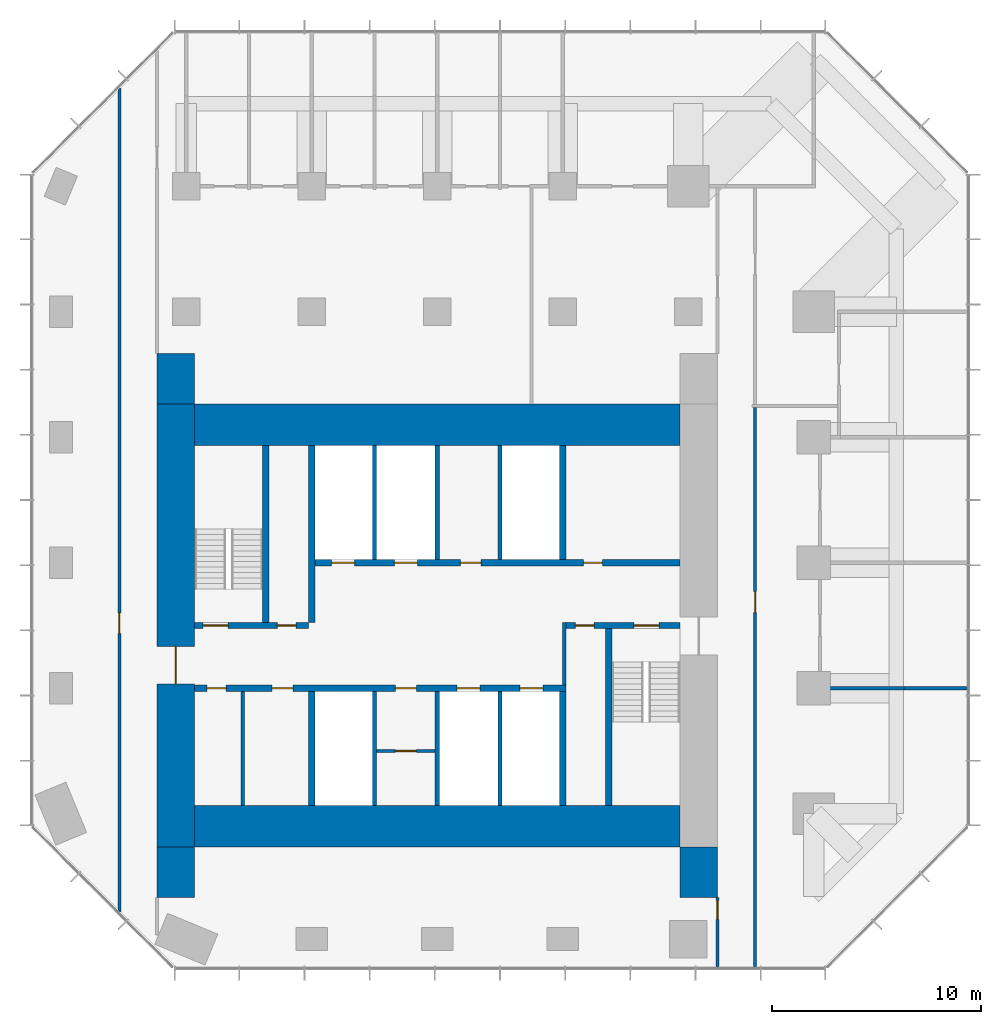
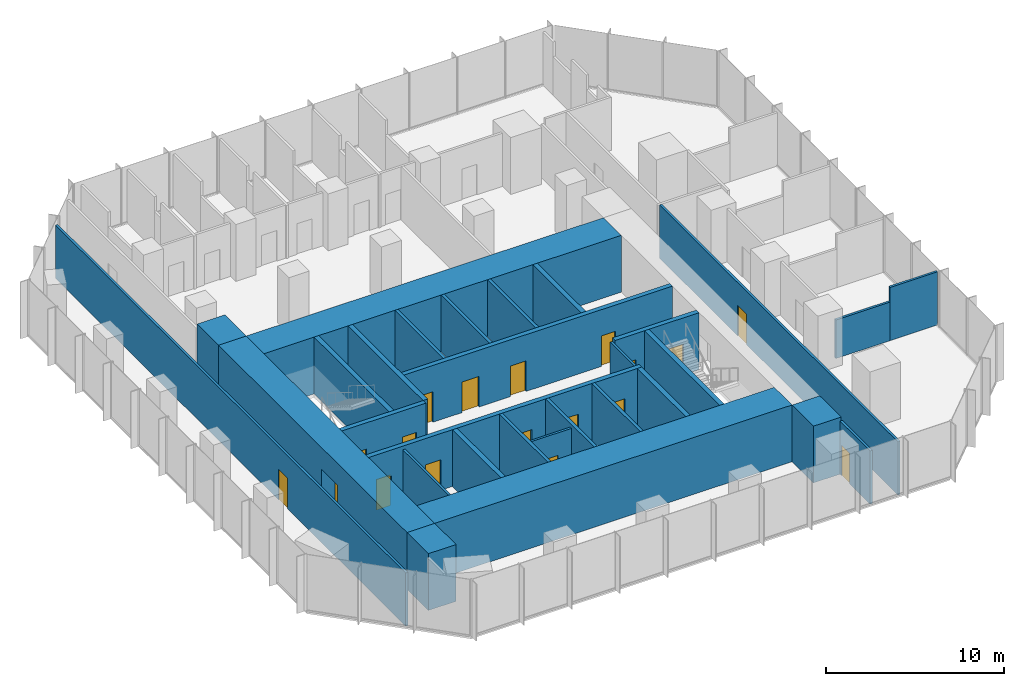
# One storey, part 8 of 11: 30 walls, 18 doors, 18 openings.
"""IFC4 building model written with IfcOpenShell, lengths in metres."""

from ifc_helpers import new_model, si_unit, direction, frame, frame_2d, origin, place, context, subcontext, project, spatial, rectangle, extrude, material, layer, layer_set, type_object, element, fill, save


model = new_model("IFC4")

# Units and contexts
model_context = context("Model", 3, precision=1e-05, world=origin(), true_north=direction((0.0, 1.0)))
body_context = subcontext(model_context, "Body", "Model", "MODEL_VIEW")
ifc_project = project(units=[si_unit("LENGTHUNIT", "METRE"), si_unit("AREAUNIT", "SQUARE_METRE"), si_unit("VOLUMEUNIT", "CUBIC_METRE"), si_unit("PLANEANGLEUNIT", "RADIAN"), si_unit("MASSUNIT", "GRAM", prefix="KILO")], contexts=[model_context])

# Site, building, storey
site_placement = place(None, origin())
site = spatial("IfcSite", under=ifc_project, at=site_placement, CompositionType="ELEMENT")
building_placement = place(site_placement, origin())
building = spatial("IfcBuilding", under=site, at=building_placement, Name="Highveld Stack Headquarters", CompositionType="ELEMENT")
storey_placement = place(building_placement, frame((0.0, 0.0, 173.300048828125)))
storey = spatial("IfcBuildingStorey", under=building, at=storey_placement, Name="L42", CompositionType="ELEMENT", Elevation=173.300048828125)

# Wall, opening, door
ifc_material_1 = material(Name="Concrete C60/75", Category="concrete")
ifc_layer_1 = layer(ifc_material_1, 1.800048828125)
ifc_layer_set_1 = layer_set([ifc_layer_1], Name="Concrete C60/75")
wall_type_1 = type_object("IfcWallType", Name="CORE WALL 1800 C60/75", PredefinedType="SHEAR", material=ifc_layer_set_1)
wall_1_placement = place(storey_placement, frame((-6.5, -7.60009765625, 0.0), z_axis=(0.0, 0.0, 1.0), x_axis=(0.0, 1.0, 0.0)))
wall_1 = element("IfcWall", 1, at=wall_1_placement, inside=storey, type_object=wall_type_1, Name="Core wall W L42", PredefinedType="SHEAR", context=body_context, shape_type="SweptSolid", body=[
    extrude(rectangle(XDim=21.2001953125, YDim=1.800048828125, at=frame_2d((10.60009765625, 0.0))), origin(), (0.0, 0.0, 1.0), 3.89990234375),
])
opening_1_placement = place(wall_1_placement, frame((7.800048828125, 0.0, 0.0)))
opening_1 = element("IfcOpeningElement", 2, at=opening_1_placement, cuts=wall_1, Name="Opening L42-01", PredefinedType="OPENING", context=body_context, shape_type="SweptSolid", body=[
    extrude(rectangle(XDim=1.800048828125, YDim=2.39990234375, at=frame_2d((0.89990234375, 1.199951171875))), frame((0.0, 0.909912109375, 0.0), z_axis=(0.0, -1.0, 0.0), x_axis=(1.0, 0.0, 0.0)), (0.0, 0.0, 1.0), 1.820068359375),
])
ifc_material_2 = material(Name="Steel fire door", Category="steel")
door_type_1 = type_object("IfcDoorType", Name="LOBBY FIRE DOOR D4 1800x2400", OperationType="DOUBLE_DOOR_SINGLE_SWING", PredefinedType="DOOR", material=ifc_material_2)
door_1_placement = place(opening_1_placement, origin())
door_1 = element("IfcDoor", 3, at=door_1_placement, inside=storey, type_object=door_type_1, Name="Core west door L42", OperationType="DOUBLE_DOOR_SINGLE_SWING", OverallHeight=2.39990234375, OverallWidth=1.800048828125, PredefinedType="DOOR", context=body_context, shape_type="SweptSolid", body=[
    extrude(rectangle(XDim=1.800048828125, YDim=2.39990234375, at=frame_2d((0.89990234375, 1.199951171875))), frame((0.0, 0.02490234375, 0.0), z_axis=(0.0, -1.0, 0.0), x_axis=(1.0, 0.0, 0.0)), (0.0, 0.0, 1.0), 0.050048828125),
])
fill(opening_1, door_1)

# Walls
ifc_material_3 = material(Name="Concrete C60/75", Category="concrete")
ifc_layer_2 = layer(ifc_material_3, 2.0)
ifc_layer_set_2 = layer_set([ifc_layer_2], Name="Concrete C60/75")
wall_type_2 = type_object("IfcWallType", Name="CORE WALL 2000 C60/75", PredefinedType="SHEAR", material=ifc_layer_set_2)
for number, where, z_axis, x_axis, name in (
    (4, (-5.60009765625, -6.60009765625, 0.0), (0.0, 0.0, 1.0), (1.0, 0.0, 0.0), "Core wall S L42"),
    (5, (-5.60009765625, 12.60009765625, 0.0), (0.0, 0.0, 1.0), (1.0, 0.0, 0.0), "Core wall N L42"),
):
    element("IfcWall", number, at=place(storey_placement, frame(where, z_axis=z_axis, x_axis=x_axis)), inside=storey, type_object=wall_type_2, Name=name, PredefinedType="SHEAR", context=body_context, shape_type="SweptSolid", body=[
        extrude(rectangle(XDim=23.2001953125, YDim=2.0, at=frame_2d((11.60009765625, 0.0))), origin(), (0.0, 0.0, 1.0), 3.89990234375),
    ])

# Wall, openings, doors
ifc_material_4 = material(Name="Concrete C60/75", Category="concrete")
ifc_layer_3 = layer(ifc_material_4, 0.300048828125)
ifc_layer_set_3 = layer_set([ifc_layer_3], Name="Concrete C60/75")
wall_type_3 = type_object("IfcWallType", Name="CORE WALL 300 C60/75", PredefinedType="SHEAR", material=ifc_layer_set_3)
wall_2_placement = place(storey_placement, frame((-5.60009765625, 0.0, 0.0), z_axis=(0.0, 0.0, 1.0), x_axis=(1.0, 0.0, 0.0)))
wall_2 = element("IfcWall", 6, at=wall_2_placement, inside=storey, type_object=wall_type_3, Name="Core wall I-Y0 L42", PredefinedType="SHEAR", context=body_context, shape_type="SweptSolid", body=[
    extrude(rectangle(XDim=17.75, YDim=0.300048828125, at=frame_2d((8.875, 0.0))), origin(), (0.0, 0.0, 1.0), 3.89990234375),
])
opening_2_placement = place(wall_2_placement, frame((0.60009765625, 0.0, 0.0)))
opening_2 = element("IfcOpeningElement", 7, at=opening_2_placement, cuts=wall_2, Name="Opening L42-07", PredefinedType="OPENING", context=body_context, shape_type="SweptSolid", body=[
    extrude(rectangle(XDim=0.89990234375, YDim=2.10009765625, at=frame_2d((0.449951171875, 1.050048828125))), frame((0.0, 0.159912109375, 0.0), z_axis=(0.0, -1.0, 0.0), x_axis=(1.0, 0.0, 0.0)), (0.0, 0.0, 1.0), 0.320068359375),
])
opening_3_placement = place(wall_2_placement, frame((3.699951171875, 0.0, 0.0)))
opening_3 = element("IfcOpeningElement", 8, at=opening_3_placement, cuts=wall_2, Name="Opening L42-08", PredefinedType="OPENING", context=body_context, shape_type="SweptSolid", body=[
    extrude(rectangle(XDim=1.0, YDim=2.10009765625, at=frame_2d((0.5, 1.050048828125))), frame((0.0, 0.159912109375, 0.0), z_axis=(0.0, -1.0, 0.0), x_axis=(1.0, 0.0, 0.0)), (0.0, 0.0, 1.0), 0.320068359375),
])
opening_4_placement = place(wall_2_placement, frame((9.60009765625, 0.0, 0.0)))
opening_4 = element("IfcOpeningElement", 9, at=opening_4_placement, cuts=wall_2, Name="Opening L42-12", PredefinedType="OPENING", context=body_context, shape_type="SweptSolid", body=[
    extrude(rectangle(XDim=1.0, YDim=2.10009765625, at=frame_2d((0.5, 1.050048828125))), frame((0.0, 0.159912109375, 0.0), z_axis=(0.0, -1.0, 0.0), x_axis=(1.0, 0.0, 0.0)), (0.0, 0.0, 1.0), 0.320068359375),
])
opening_5_placement = place(wall_2_placement, frame((12.550048828125, 0.0, 0.0)))
opening_5 = element("IfcOpeningElement", 10, at=opening_5_placement, cuts=wall_2, Name="Opening LD", PredefinedType="OPENING", context=body_context, shape_type="SweptSolid", body=[
    extrude(rectangle(XDim=1.10009765625, YDim=2.10009765625, at=frame_2d((0.550048828125, 1.050048828125))), frame((0.0, 0.159912109375, 0.0), z_axis=(0.0, -1.0, 0.0), x_axis=(1.0, 0.0, 0.0)), (0.0, 0.0, 1.0), 0.320068359375),
])
opening_6_placement = place(wall_2_placement, frame((15.550048828125, 0.0, 0.0)))
opening_6 = element("IfcOpeningElement", 11, at=opening_6_placement, cuts=wall_2, Name="Opening LD", PredefinedType="OPENING", context=body_context, shape_type="SweptSolid", body=[
    extrude(rectangle(XDim=1.10009765625, YDim=2.10009765625, at=frame_2d((0.550048828125, 1.050048828125))), frame((0.0, 0.159912109375, 0.0), z_axis=(0.0, -1.0, 0.0), x_axis=(1.0, 0.0, 0.0)), (0.0, 0.0, 1.0), 0.320068359375),
])
ifc_material_5 = material(Name="Timber door, painted", Category="wood")
door_type_2 = type_object("IfcDoorType", Name="ACCESSIBLE WC DOOR D2 1000x2100", OperationType="SINGLE_SWING_RIGHT", PredefinedType="DOOR", material=ifc_material_5)
door_2_placement = place(opening_3_placement, origin())
door_2 = element("IfcDoor", 12, at=door_2_placement, inside=storey, type_object=door_type_2, Name="Accessible WC door L42", OperationType="SINGLE_SWING_LEFT", OverallHeight=2.10009765625, OverallWidth=1.0, PredefinedType="DOOR", context=body_context, shape_type="SweptSolid", body=[
    extrude(rectangle(XDim=1.0, YDim=2.10009765625, at=frame_2d((0.5, 1.050048828125))), frame((0.0, 0.02490234375, 0.0), z_axis=(0.0, -1.0, 0.0), x_axis=(1.0, 0.0, 0.0)), (0.0, 0.0, 1.0), 0.050048828125),
])
fill(opening_3, door_2)
ifc_material_6 = material(Name="Steel fire door", Category="steel")
door_type_3 = type_object("IfcDoorType", Name="CORE ROOM FIRE DOOR D14 1000x2100", OperationType="SINGLE_SWING_LEFT", PredefinedType="DOOR", material=ifc_material_6)
door_3_placement = place(opening_4_placement, origin())
door_3 = element("IfcDoor", 13, at=door_3_placement, inside=storey, type_object=door_type_3, Name="Capped B 1 door L42", OperationType="SINGLE_SWING_RIGHT", OverallHeight=2.10009765625, OverallWidth=1.0, PredefinedType="DOOR", context=body_context, shape_type="SweptSolid", body=[
    extrude(rectangle(XDim=1.0, YDim=2.10009765625, at=frame_2d((0.5, 1.050048828125))), frame((0.0, 0.02490234375, 0.0), z_axis=(0.0, -1.0, 0.0), x_axis=(1.0, 0.0, 0.0)), (0.0, 0.0, 1.0), 0.050048828125),
])
fill(opening_4, door_3)
ifc_material_7 = material(Name="Stainless steel lift landing door", Category="steel")
door_type_4 = type_object("IfcDoorType", Name="LIFT LANDING DOOR LD 1100x2100", OperationType="DOUBLE_DOOR_SLIDING", PredefinedType="USERDEFINED", material=ifc_material_7)
door_4_placement = place(opening_5_placement, origin())
door_4 = element("IfcDoor", 14, at=door_4_placement, inside=storey, type_object=door_type_4, Name="Lift landing door C1 L42", ObjectType="LIFT LANDING DOOR", OperationType="DOUBLE_DOOR_SLIDING", OverallHeight=2.10009765625, OverallWidth=1.10009765625, PredefinedType="USERDEFINED", context=body_context, shape_type="SweptSolid", body=[
    extrude(rectangle(XDim=1.10009765625, YDim=2.10009765625, at=frame_2d((0.550048828125, 1.050048828125))), frame((0.0, 0.02490234375, 0.0), z_axis=(0.0, -1.0, 0.0), x_axis=(1.0, 0.0, 0.0)), (0.0, 0.0, 1.0), 0.050048828125),
])
fill(opening_5, door_4)
door_5_placement = place(opening_6_placement, origin())
door_5 = element("IfcDoor", 15, at=door_5_placement, inside=storey, type_object=door_type_4, Name="Lift landing door C2 L42", ObjectType="LIFT LANDING DOOR", OperationType="DOUBLE_DOOR_SLIDING", OverallHeight=2.10009765625, OverallWidth=1.10009765625, PredefinedType="USERDEFINED", context=body_context, shape_type="SweptSolid", body=[
    extrude(rectangle(XDim=1.10009765625, YDim=2.10009765625, at=frame_2d((0.550048828125, 1.050048828125))), frame((0.0, 0.02490234375, 0.0), z_axis=(0.0, -1.0, 0.0), x_axis=(1.0, 0.0, 0.0)), (0.0, 0.0, 1.0), 0.050048828125),
])
fill(opening_6, door_5)
ifc_material_8 = material(Name="Timber door, painted", Category="wood")
door_type_5 = type_object("IfcDoorType", Name="WC DOOR D1 900x2100", OperationType="SINGLE_SWING_LEFT", PredefinedType="DOOR", material=ifc_material_8)
door_6_placement = place(opening_2_placement, origin())
door_6 = element("IfcDoor", 16, at=door_6_placement, inside=storey, type_object=door_type_5, Name="Female WC door L42", OperationType="SINGLE_SWING_LEFT", OverallHeight=2.10009765625, OverallWidth=0.89990234375, PredefinedType="DOOR", context=body_context, shape_type="SweptSolid", body=[
    extrude(rectangle(XDim=0.89990234375, YDim=2.10009765625, at=frame_2d((0.449951171875, 1.050048828125))), frame((0.0, 0.02490234375, 0.0), z_axis=(0.0, -1.0, 0.0), x_axis=(1.0, 0.0, 0.0)), (0.0, 0.0, 1.0), 0.050048828125),
])
fill(opening_2, door_6)

wall_3_placement = place(storey_placement, frame((-5.60009765625, 3.0, 0.0), z_axis=(0.0, 0.0, 1.0), x_axis=(1.0, 0.0, 0.0)))
wall_3 = element("IfcWall", 17, at=wall_3_placement, inside=storey, type_object=wall_type_3, Name="Core wall I-Y3W L42", PredefinedType="SHEAR", context=body_context, shape_type="SweptSolid", body=[
    extrude(rectangle(XDim=5.4501953125, YDim=0.300048828125, at=frame_2d((2.72509765625, 0.0))), origin(), (0.0, 0.0, 1.0), 3.89990234375),
])
opening_7_placement = place(wall_3_placement, frame((0.39990234375, 0.0, 0.0)))
opening_7 = element("IfcOpeningElement", 18, at=opening_7_placement, cuts=wall_3, Name="Opening L42-03", PredefinedType="OPENING", context=body_context, shape_type="SweptSolid", body=[
    extrude(rectangle(XDim=1.199951171875, YDim=2.10009765625, at=frame_2d((0.60009765625, 1.050048828125))), frame((0.0, 0.159912109375, 0.0), z_axis=(0.0, -1.0, 0.0), x_axis=(1.0, 0.0, 0.0)), (0.0, 0.0, 1.0), 0.320068359375),
])
opening_8_placement = place(wall_3_placement, frame((3.949951171875, 0.0, 0.0)))
opening_8 = element("IfcOpeningElement", 19, at=opening_8_placement, cuts=wall_3, Name="Opening L42-04", PredefinedType="OPENING", context=body_context, shape_type="SweptSolid", body=[
    extrude(rectangle(XDim=0.89990234375, YDim=2.10009765625, at=frame_2d((0.449951171875, 1.050048828125))), frame((0.0, 0.159912109375, 0.0), z_axis=(0.0, -1.0, 0.0), x_axis=(1.0, 0.0, 0.0)), (0.0, 0.0, 1.0), 0.320068359375),
])
ifc_material_9 = material(Name="Steel fire door", Category="steel")
door_type_6 = type_object("IfcDoorType", Name="RISER ACCESS DOOR D5 900x2100", OperationType="SINGLE_SWING_LEFT", PredefinedType="DOOR", material=ifc_material_9)
door_7_placement = place(opening_8_placement, origin())
door_7 = element("IfcDoor", 20, at=door_7_placement, inside=storey, type_object=door_type_6, Name="Riser R1 door L42", OperationType="SINGLE_SWING_RIGHT", OverallHeight=2.10009765625, OverallWidth=0.89990234375, PredefinedType="DOOR", context=body_context, shape_type="SweptSolid", body=[
    extrude(rectangle(XDim=0.89990234375, YDim=2.10009765625, at=frame_2d((0.449951171875, 1.050048828125))), frame((0.0, 0.02490234375, 0.0), z_axis=(0.0, -1.0, 0.0), x_axis=(1.0, 0.0, 0.0)), (0.0, 0.0, 1.0), 0.050048828125),
])
fill(opening_8, door_7)
ifc_material_10 = material(Name="Steel fire door", Category="steel")
door_type_7 = type_object("IfcDoorType", Name="STAIR FIRE DOOR D3 1200x2100", OperationType="SINGLE_SWING_LEFT", PredefinedType="DOOR", material=ifc_material_10)
door_8_placement = place(opening_7_placement, origin())
door_8 = element("IfcDoor", 21, at=door_8_placement, inside=storey, type_object=door_type_7, Name="Stair S1 door L42", OperationType="SINGLE_SWING_LEFT", OverallHeight=2.10009765625, OverallWidth=1.199951171875, PredefinedType="DOOR", context=body_context, shape_type="SweptSolid", body=[
    extrude(rectangle(XDim=1.199951171875, YDim=2.10009765625, at=frame_2d((0.60009765625, 1.050048828125))), frame((0.0, 0.02490234375, 0.0), z_axis=(0.0, -1.0, 0.0), x_axis=(1.0, 0.0, 0.0)), (0.0, 0.0, 1.0), 0.050048828125),
])
fill(opening_7, door_8)

wall_4_placement = place(storey_placement, frame((12.14990234375, 3.0, 0.0), z_axis=(0.0, 0.0, 1.0), x_axis=(1.0, 0.0, 0.0)))
wall_4 = element("IfcWall", 22, at=wall_4_placement, inside=storey, type_object=wall_type_3, Name="Core wall I-Y3E L42", PredefinedType="SHEAR", context=body_context, shape_type="SweptSolid", body=[
    extrude(rectangle(XDim=5.4501953125, YDim=0.300048828125, at=frame_2d((2.72509765625, 0.0))), origin(), (0.0, 0.0, 1.0), 3.89990234375),
])
opening_9_placement = place(wall_4_placement, frame((3.25, 0.0, 0.0)))
opening_9 = element("IfcOpeningElement", 23, at=opening_9_placement, cuts=wall_4, Name="Opening L42-05", PredefinedType="OPENING", context=body_context, shape_type="SweptSolid", body=[
    extrude(rectangle(XDim=1.199951171875, YDim=2.10009765625, at=frame_2d((0.60009765625, 1.050048828125))), frame((0.0, 0.159912109375, 0.0), z_axis=(0.0, -1.0, 0.0), x_axis=(1.0, 0.0, 0.0)), (0.0, 0.0, 1.0), 0.320068359375),
])
opening_10_placement = place(wall_4_placement, frame((0.449951171875, 0.0, 0.0)))
opening_10 = element("IfcOpeningElement", 24, at=opening_10_placement, cuts=wall_4, Name="Opening L42-06", PredefinedType="OPENING", context=body_context, shape_type="SweptSolid", body=[
    extrude(rectangle(XDim=0.89990234375, YDim=2.10009765625, at=frame_2d((0.449951171875, 1.050048828125))), frame((0.0, 0.159912109375, 0.0), z_axis=(0.0, -1.0, 0.0), x_axis=(1.0, 0.0, 0.0)), (0.0, 0.0, 1.0), 0.320068359375),
])
door_9_placement = place(opening_10_placement, origin())
door_9 = element("IfcDoor", 25, at=door_9_placement, inside=storey, type_object=door_type_6, Name="Riser R2 door L42", OperationType="SINGLE_SWING_LEFT", OverallHeight=2.10009765625, OverallWidth=0.89990234375, PredefinedType="DOOR", context=body_context, shape_type="SweptSolid", body=[
    extrude(rectangle(XDim=0.89990234375, YDim=2.10009765625, at=frame_2d((0.449951171875, 1.050048828125))), frame((0.0, 0.02490234375, 0.0), z_axis=(0.0, -1.0, 0.0), x_axis=(1.0, 0.0, 0.0)), (0.0, 0.0, 1.0), 0.050048828125),
])
fill(opening_10, door_9)
door_10_placement = place(opening_9_placement, origin())
door_10 = element("IfcDoor", 26, at=door_10_placement, inside=storey, type_object=door_type_7, Name="Stair S2 door L42", OperationType="SINGLE_SWING_RIGHT", OverallHeight=2.10009765625, OverallWidth=1.199951171875, PredefinedType="DOOR", context=body_context, shape_type="SweptSolid", body=[
    extrude(rectangle(XDim=1.199951171875, YDim=2.10009765625, at=frame_2d((0.60009765625, 1.050048828125))), frame((0.0, 0.02490234375, 0.0), z_axis=(0.0, -1.0, 0.0), x_axis=(1.0, 0.0, 0.0)), (0.0, 0.0, 1.0), 0.050048828125),
])
fill(opening_9, door_10)

wall_5_placement = place(storey_placement, frame((-0.14990234375, 6.0, 0.0), z_axis=(0.0, 0.0, 1.0), x_axis=(1.0, 0.0, 0.0)))
wall_5 = element("IfcWall", 27, at=wall_5_placement, inside=storey, type_object=wall_type_3, Name="Core wall I-Y6 L42", PredefinedType="SHEAR", context=body_context, shape_type="SweptSolid", body=[
    extrude(rectangle(XDim=17.75, YDim=0.300048828125, at=frame_2d((8.875, 0.0))), origin(), (0.0, 0.0, 1.0), 3.89990234375),
])
opening_11_placement = place(wall_5_placement, frame((13.14990234375, 0.0, 0.0)))
opening_11 = element("IfcOpeningElement", 28, at=opening_11_placement, cuts=wall_5, Name="Opening L42-09", PredefinedType="OPENING", context=body_context, shape_type="SweptSolid", body=[
    extrude(rectangle(XDim=0.89990234375, YDim=2.10009765625, at=frame_2d((0.449951171875, 1.050048828125))), frame((0.0, 0.159912109375, 0.0), z_axis=(0.0, -1.0, 0.0), x_axis=(1.0, 0.0, 0.0)), (0.0, 0.0, 1.0), 0.320068359375),
])
opening_12_placement = place(wall_5_placement, frame((7.25, 0.0, 0.0)))
opening_12 = element("IfcOpeningElement", 29, at=opening_12_placement, cuts=wall_5, Name="Opening L42-10", PredefinedType="OPENING", context=body_context, shape_type="SweptSolid", body=[
    extrude(rectangle(XDim=1.0, YDim=2.10009765625, at=frame_2d((0.5, 1.050048828125))), frame((0.0, 0.159912109375, 0.0), z_axis=(0.0, -1.0, 0.0), x_axis=(1.0, 0.0, 0.0)), (0.0, 0.0, 1.0), 0.320068359375),
])
opening_13_placement = place(wall_5_placement, frame((1.10009765625, 0.0, 0.0)))
opening_13 = element("IfcOpeningElement", 30, at=opening_13_placement, cuts=wall_5, Name="Opening LD", PredefinedType="OPENING", context=body_context, shape_type="SweptSolid", body=[
    extrude(rectangle(XDim=1.10009765625, YDim=2.10009765625, at=frame_2d((0.550048828125, 1.050048828125))), frame((0.0, 0.159912109375, 0.0), z_axis=(0.0, -1.0, 0.0), x_axis=(1.0, 0.0, 0.0)), (0.0, 0.0, 1.0), 0.320068359375),
])
opening_14_placement = place(wall_5_placement, frame((4.10009765625, 0.0, 0.0)))
opening_14 = element("IfcOpeningElement", 31, at=opening_14_placement, cuts=wall_5, Name="Opening LD", PredefinedType="OPENING", context=body_context, shape_type="SweptSolid", body=[
    extrude(rectangle(XDim=1.10009765625, YDim=2.10009765625, at=frame_2d((0.550048828125, 1.050048828125))), frame((0.0, 0.159912109375, 0.0), z_axis=(0.0, -1.0, 0.0), x_axis=(1.0, 0.0, 0.0)), (0.0, 0.0, 1.0), 0.320068359375),
])
door_11_placement = place(opening_12_placement, origin())
door_11 = element("IfcDoor", 32, at=door_11_placement, inside=storey, type_object=door_type_3, Name="Capped A 1 door L42", OperationType="SINGLE_SWING_LEFT", OverallHeight=2.10009765625, OverallWidth=1.0, PredefinedType="DOOR", context=body_context, shape_type="SweptSolid", body=[
    extrude(rectangle(XDim=1.0, YDim=2.10009765625, at=frame_2d((0.5, 1.050048828125))), frame((0.0, 0.02490234375, 0.0), z_axis=(0.0, -1.0, 0.0), x_axis=(1.0, 0.0, 0.0)), (0.0, 0.0, 1.0), 0.050048828125),
])
fill(opening_12, door_11)
door_12_placement = place(opening_13_placement, origin())
door_12 = element("IfcDoor", 33, at=door_12_placement, inside=storey, type_object=door_type_4, Name="Lift landing door FF1 L42", ObjectType="LIFT LANDING DOOR", OperationType="DOUBLE_DOOR_SLIDING", OverallHeight=2.10009765625, OverallWidth=1.10009765625, PredefinedType="USERDEFINED", context=body_context, shape_type="SweptSolid", body=[
    extrude(rectangle(XDim=1.10009765625, YDim=2.10009765625, at=frame_2d((0.550048828125, 1.050048828125))), frame((0.0, 0.02490234375, 0.0), z_axis=(0.0, -1.0, 0.0), x_axis=(1.0, 0.0, 0.0)), (0.0, 0.0, 1.0), 0.050048828125),
])
fill(opening_13, door_12)
door_13_placement = place(opening_14_placement, origin())
door_13 = element("IfcDoor", 34, at=door_13_placement, inside=storey, type_object=door_type_4, Name="Lift landing door FF2 L42", ObjectType="LIFT LANDING DOOR", OperationType="DOUBLE_DOOR_SLIDING", OverallHeight=2.10009765625, OverallWidth=1.10009765625, PredefinedType="USERDEFINED", context=body_context, shape_type="SweptSolid", body=[
    extrude(rectangle(XDim=1.10009765625, YDim=2.10009765625, at=frame_2d((0.550048828125, 1.050048828125))), frame((0.0, 0.02490234375, 0.0), z_axis=(0.0, -1.0, 0.0), x_axis=(1.0, 0.0, 0.0)), (0.0, 0.0, 1.0), 0.050048828125),
])
fill(opening_14, door_13)
door_14_placement = place(opening_11_placement, origin())
door_14 = element("IfcDoor", 35, at=door_14_placement, inside=storey, type_object=door_type_5, Name="Male WC door L42", OperationType="SINGLE_SWING_RIGHT", OverallHeight=2.10009765625, OverallWidth=0.89990234375, PredefinedType="DOOR", context=body_context, shape_type="SweptSolid", body=[
    extrude(rectangle(XDim=0.89990234375, YDim=2.10009765625, at=frame_2d((0.449951171875, 1.050048828125))), frame((0.0, 0.02490234375, 0.0), z_axis=(0.0, -1.0, 0.0), x_axis=(1.0, 0.0, 0.0)), (0.0, 0.0, 1.0), 0.050048828125),
])
fill(opening_11, door_14)

# Walls
wall_6_placement = place(storey_placement, frame((0.0, -5.60009765625, 0.0), z_axis=(0.0, 0.0, 1.0), x_axis=(0.0, 1.0, 0.0)))
element("IfcWall", 36, at=wall_6_placement, inside=storey, type_object=wall_type_3, Name="Core wall I-X0S L42", PredefinedType="SHEAR", context=body_context, shape_type="SweptSolid", body=[
    extrude(rectangle(XDim=5.4501953125, YDim=0.300048828125, at=frame_2d((2.72509765625, 0.0))), origin(), (0.0, 0.0, 1.0), 3.89990234375),
])
wall_7_placement = place(storey_placement, frame((0.0, 3.14990234375, 0.0), z_axis=(0.0, 0.0, 1.0), x_axis=(0.0, 1.0, 0.0)))
element("IfcWall", 37, at=wall_7_placement, inside=storey, type_object=wall_type_3, Name="Core wall I-X0N L42", PredefinedType="SHEAR", context=body_context, shape_type="SweptSolid", body=[
    extrude(rectangle(XDim=8.4501953125, YDim=0.300048828125, at=frame_2d((4.22509765625, 0.0))), origin(), (0.0, 0.0, 1.0), 3.89990234375),
])
for number, where, z_axis, x_axis, name in (
    (38, (12.0, -5.60009765625, 0.0), (0.0, 0.0, 1.0), (0.0, 1.0, 0.0), "Core wall I-X12S L42"),
    (39, (12.0, 6.14990234375, 0.0), (0.0, 0.0, 1.0), (0.0, 1.0, 0.0), "Core wall I-X12N L42"),
):
    element("IfcWall", number, at=place(storey_placement, frame(where, z_axis=z_axis, x_axis=x_axis)), inside=storey, type_object=wall_type_3, Name=name, PredefinedType="SHEAR", context=body_context, shape_type="SweptSolid", body=[
        extrude(rectangle(XDim=5.4501953125, YDim=0.300048828125, at=frame_2d((2.72509765625, 0.0))), origin(), (0.0, 0.0, 1.0), 3.89990234375),
    ])
for number, where, z_axis, x_axis, name in (
    (40, (-2.199951171875, 3.14990234375, 0.0), (0.0, 0.0, 1.0), (0.0, 1.0, 0.0), "Core wall I-RW L42"),
    (41, (14.199951171875, -5.60009765625, 0.0), (0.0, 0.0, 1.0), (0.0, 1.0, 0.0), "Core wall I-RE L42"),
):
    element("IfcWall", number, at=place(storey_placement, frame(where, z_axis=z_axis, x_axis=x_axis)), inside=storey, type_object=wall_type_3, Name=name, PredefinedType="SHEAR", context=body_context, shape_type="SweptSolid", body=[
        extrude(rectangle(XDim=8.4501953125, YDim=0.300048828125, at=frame_2d((4.22509765625, 0.0))), origin(), (0.0, 0.0, 1.0), 3.89990234375),
    ])
ifc_material_11 = material(Name="Concrete C60/75", Category="concrete")
ifc_layer_4 = layer(ifc_material_11, 1.800048828125)
ifc_layer_set_4 = layer_set([ifc_layer_4], Name="Concrete C60/75")
wall_type_4 = type_object("IfcWallType", Name="CORE WING WALL 1800 C60/75", PredefinedType="SHEAR", material=ifc_layer_set_4)
for number, where, z_axis, x_axis, name in (
    (42, (-6.5, -10.0, 0.0), (0.0, 0.0, 1.0), (0.0, 1.0, 0.0), "Core wing wall WS L42"),
    (43, (-6.5, 13.60009765625, 0.0), (0.0, 0.0, 1.0), (0.0, 1.0, 0.0), "Core wing wall WN L42"),
    (44, (18.5, -10.0, 0.0), (0.0, 0.0, 1.0), (0.0, 1.0, 0.0), "Core wing wall ES L42"),
):
    element("IfcWall", number, at=place(storey_placement, frame(where, z_axis=z_axis, x_axis=x_axis)), inside=storey, type_object=wall_type_4, Name=name, PredefinedType="SHEAR", context=body_context, shape_type="SweptSolid", body=[
        extrude(rectangle(XDim=2.39990234375, YDim=1.800048828125, at=frame_2d((1.199951171875, 0.0))), origin(), (0.0, 0.0, 1.0), 3.89990234375),
    ])

# Wall, opening, door
ifc_material_12 = material(Name="Concrete blockwork, plastered", Category="masonry")
ifc_layer_5 = layer(ifc_material_12, 0.14990234375)
ifc_layer_set_5 = layer_set([ifc_layer_5], Name="Concrete blockwork, plastered")
wall_type_5 = type_object("IfcWallType", Name="FIRE PARTITION 150 BLOCKWORK", PredefinedType="PARTITIONING", material=ifc_layer_set_5)
wall_8_placement = place(storey_placement, frame((3.10009765625, -3.0, 0.0), z_axis=(0.0, 0.0, 1.0), x_axis=(1.0, 0.0, 0.0)))
wall_8 = element("IfcWall", 45, at=wall_8_placement, inside=storey, type_object=wall_type_5, Name="Core room partition L42", PredefinedType="PARTITIONING", context=body_context, shape_type="SweptSolid", body=[
    extrude(rectangle(XDim=2.7998046875, YDim=0.14990234375, at=frame_2d((1.39990234375, 0.0))), origin(), (0.0, 0.0, 1.0), 3.64990234375),
])
opening_15_placement = place(wall_8_placement, frame((0.89990234375, 0.0, 0.0)))
opening_15 = element("IfcOpeningElement", 46, at=opening_15_placement, cuts=wall_8, Name="Opening L42-11", PredefinedType="OPENING", context=body_context, shape_type="SweptSolid", body=[
    extrude(rectangle(XDim=1.0, YDim=2.10009765625, at=frame_2d((0.5, 1.050048828125))), frame((0.0, 0.0849609375, 0.0), z_axis=(0.0, -1.0, 0.0), x_axis=(1.0, 0.0, 0.0)), (0.0, 0.0, 1.0), 0.169921875),
])
door_15_placement = place(opening_15_placement, origin())
door_15 = element("IfcDoor", 47, at=door_15_placement, inside=storey, type_object=door_type_3, Name="Capped B 2 door L42", OperationType="SINGLE_SWING_RIGHT", OverallHeight=2.10009765625, OverallWidth=1.0, PredefinedType="DOOR", context=body_context, shape_type="SweptSolid", body=[
    extrude(rectangle(XDim=1.0, YDim=2.10009765625, at=frame_2d((0.5, 1.050048828125))), frame((0.0, 0.02490234375, 0.0), z_axis=(0.0, -1.0, 0.0), x_axis=(1.0, 0.0, 0.0)), (0.0, 0.0, 1.0), 0.050048828125),
])
fill(opening_15, door_15)

# Walls
wall_9_placement = place(storey_placement, frame((12.074951171875, 0.14990234375, 0.0), z_axis=(0.0, 0.0, 1.0), x_axis=(0.0, 1.0, 0.0)))
element("IfcWall", 48, at=wall_9_placement, inside=storey, type_object=wall_type_5, Name="Riser R2 enclosure L42", PredefinedType="PARTITIONING", context=body_context, shape_type="SweptSolid", body=[
    extrude(rectangle(XDim=3.0, YDim=0.14990234375, at=frame_2d((1.5, 0.0))), origin(), (0.0, 0.0, 1.0), 3.64990234375),
])
ifc_material_13 = material(Name="Concrete blockwork, fair-faced", Category="masonry")
ifc_layer_6 = layer(ifc_material_13, 0.199951171875)
ifc_layer_set_6 = layer_set([ifc_layer_6], Name="Concrete blockwork, fair-faced")
wall_type_6 = type_object("IfcWallType", Name="LIFT SHAFT ENCLOSURE WALL 200 BLOCKWORK", PredefinedType="SOLIDWALL", material=ifc_layer_set_6)
for number, where, z_axis, x_axis, name in (
    (49, (3.0, 6.14990234375, 0.0), (0.0, 0.0, 1.0), (0.0, 1.0, 0.0), "Lift shaft wall L42"),
    (50, (6.0, 6.14990234375, 0.0), (0.0, 0.0, 1.0), (0.0, 1.0, 0.0), "Lift shaft wall L42"),
    (51, (9.0, 6.14990234375, 0.0), (0.0, 0.0, 1.0), (0.0, 1.0, 0.0), "Lift shaft wall L42"),
    (52, (3.0, -5.60009765625, 0.0), (0.0, 0.0, 1.0), (0.0, 1.0, 0.0), "Lift shaft wall L42"),
    (53, (6.0, -5.60009765625, 0.0), (0.0, 0.0, 1.0), (0.0, 1.0, 0.0), "Lift shaft wall L42"),
    (54, (9.0, -5.60009765625, 0.0), (0.0, 0.0, 1.0), (0.0, 1.0, 0.0), "Lift shaft wall L42"),
):
    element("IfcWall", number, at=place(storey_placement, frame(where, z_axis=z_axis, x_axis=x_axis)), inside=storey, type_object=wall_type_6, Name=name, PredefinedType="SOLIDWALL", context=body_context, shape_type="SweptSolid", body=[
        extrude(rectangle(XDim=5.4501953125, YDim=0.199951171875, at=frame_2d((2.72509765625, 0.0))), origin(), (0.0, 0.0, 1.0), 3.89990234375),
    ])
ifc_material_14 = material(Name="Gypsum plasterboard on steel studs", Category="steel")
ifc_layer_7 = layer(ifc_material_14, 0.14990234375)
ifc_layer_set_7 = layer_set([ifc_layer_7], Name="Gypsum plasterboard on steel studs")
wall_type_7 = type_object("IfcWallType", Name="PARTITION 150 PLASTERBOARD", PredefinedType="PARTITIONING", material=ifc_layer_set_7)
wall_10_placement = place(storey_placement, frame((24.800048828125, 0.0, 0.0), z_axis=(0.0, 0.0, 1.0), x_axis=(1.0, 0.0, 0.0)))
element("IfcWall", 55, at=wall_10_placement, inside=storey, type_object=wall_type_7, Name="Partition Client meeting room L42", PredefinedType="PARTITIONING", context=body_context, shape_type="SweptSolid", body=[
    extrude(rectangle(XDim=3.510009765625, YDim=0.14990234375, at=frame_2d((1.7548828125, 0.0))), origin(), (0.0, 0.0, 1.0), 2.64990234375),
])
wall_11_placement = place(storey_placement, frame((28.31005859375, 0.0, 0.0), z_axis=(0.0, 0.0, 1.0), x_axis=(1.0, 0.0, 0.0)))
element("IfcWall", 56, at=wall_11_placement, inside=storey, type_object=wall_type_7, Name="Partition Client meeting room L42", PredefinedType="PARTITIONING", context=body_context, shape_type="SweptSolid", body=[
    extrude(rectangle(XDim=3.08984375, YDim=0.14990234375, at=frame_2d((1.544921875, 0.0))), origin(), (0.0, 0.0, 1.0), 3.64990234375),
])

# Wall, opening, door
wall_12_placement = place(storey_placement, frame((-9.199951171875, -10.68896484375, 0.0), z_axis=(0.0, 0.0, 1.0), x_axis=(0.0, 1.0, 0.0)))
wall_12 = element("IfcWall", 57, at=wall_12_placement, inside=storey, type_object=wall_type_7, Name="Partition office neighbourhood L42", PredefinedType="PARTITIONING", context=body_context, shape_type="SweptSolid", body=[
    extrude(rectangle(XDim=39.3779296875, YDim=0.14990234375, at=frame_2d((19.68896484375, 0.0))), origin(), (0.0, 0.0, 1.0), 3.64990234375),
])
opening_16_placement = place(wall_12_placement, frame((13.297119140625, 0.0, 0.0)))
opening_16 = element("IfcOpeningElement", 58, at=opening_16_placement, cuts=wall_12, Name="Opening L42-24", PredefinedType="OPENING", context=body_context, shape_type="SweptSolid", body=[
    extrude(rectangle(XDim=1.0, YDim=2.10009765625, at=frame_2d((0.5, 1.050048828125))), frame((0.0, 0.0849609375, 0.0), z_axis=(0.0, -1.0, 0.0), x_axis=(1.0, 0.0, 0.0)), (0.0, 0.0, 1.0), 0.169921875),
])
ifc_material_15 = material(Name="Timber door, oiled ash", Category="wood")
door_type_8 = type_object("IfcDoorType", Name="ROOM DOOR D6 1000x2100", OperationType="SINGLE_SWING_LEFT", PredefinedType="DOOR", material=ifc_material_15)
door_16_placement = place(opening_16_placement, origin())
door_16 = element("IfcDoor", 59, at=door_16_placement, inside=storey, type_object=door_type_8, Name="Office neighbourhood door L42", OperationType="SINGLE_SWING_LEFT", OverallHeight=2.10009765625, OverallWidth=1.0, PredefinedType="DOOR", context=body_context, shape_type="SweptSolid", body=[
    extrude(rectangle(XDim=1.0, YDim=2.10009765625, at=frame_2d((0.5, 1.050048828125))), frame((0.0, 0.02490234375, 0.0), z_axis=(0.0, -1.0, 0.0), x_axis=(1.0, 0.0, 0.0)), (0.0, 0.0, 1.0), 0.050048828125),
])
fill(opening_16, door_16)

wall_13_placement = place(storey_placement, frame((19.39990234375, -13.39990234375, 0.0), z_axis=(0.0, 0.0, 1.0), x_axis=(0.0, 1.0, 0.0)))
wall_13 = element("IfcWall", 60, at=wall_13_placement, inside=storey, type_object=wall_type_7, Name="Partition office neighbourhood L42", PredefinedType="PARTITIONING", context=body_context, shape_type="SweptSolid", body=[
    extrude(rectangle(XDim=3.39990234375, YDim=0.14990234375, at=frame_2d((1.699951171875, 0.0))), origin(), (0.0, 0.0, 1.0), 3.64990234375),
])
opening_17_placement = place(wall_13_placement, frame((2.35009765625, 0.0, 0.0)))
opening_17 = element("IfcOpeningElement", 61, at=opening_17_placement, cuts=wall_13, Name="Opening L42-28", PredefinedType="OPENING", context=body_context, shape_type="SweptSolid", body=[
    extrude(rectangle(XDim=0.89990234375, YDim=2.10009765625, at=frame_2d((0.449951171875, 1.050048828125))), frame((0.0, 0.0849609375, 0.0), z_axis=(0.0, -1.0, 0.0), x_axis=(1.0, 0.0, 0.0)), (0.0, 0.0, 1.0), 0.169921875),
])
ifc_material_16 = material(Name="Timber door, oiled ash", Category="wood")
door_type_9 = type_object("IfcDoorType", Name="ROOM DOOR D15 900x2100", OperationType="SINGLE_SWING_LEFT", PredefinedType="DOOR", material=ifc_material_16)
door_17_placement = place(opening_17_placement, origin())
door_17 = element("IfcDoor", 62, at=door_17_placement, inside=storey, type_object=door_type_9, Name="Office neighbourhood door L42", OperationType="SINGLE_SWING_RIGHT", OverallHeight=2.10009765625, OverallWidth=0.89990234375, PredefinedType="DOOR", context=body_context, shape_type="SweptSolid", body=[
    extrude(rectangle(XDim=0.89990234375, YDim=2.10009765625, at=frame_2d((0.449951171875, 1.050048828125))), frame((0.0, 0.02490234375, 0.0), z_axis=(0.0, -1.0, 0.0), x_axis=(1.0, 0.0, 0.0)), (0.0, 0.0, 1.0), 0.050048828125),
])
fill(opening_17, door_17)

wall_14_placement = place(storey_placement, frame((21.199951171875, -13.39990234375, 0.0), z_axis=(0.0, 0.0, 1.0), x_axis=(0.0, 1.0, 0.0)))
wall_14 = element("IfcWall", 63, at=wall_14_placement, inside=storey, type_object=wall_type_7, Name="Partition office neighbourhood L42", PredefinedType="PARTITIONING", context=body_context, shape_type="SweptSolid", body=[
    extrude(rectangle(XDim=26.824951171875, YDim=0.14990234375, at=frame_2d((13.41259765625, 0.0))), origin(), (0.0, 0.0, 1.0), 3.64990234375),
])
opening_18_placement = place(wall_14_placement, frame((17.02001953125, 0.0, 0.0)))
opening_18 = element("IfcOpeningElement", 64, at=opening_18_placement, cuts=wall_14, Name="Opening L42-23", PredefinedType="OPENING", context=body_context, shape_type="SweptSolid", body=[
    extrude(rectangle(XDim=1.0, YDim=2.10009765625, at=frame_2d((0.5, 1.050048828125))), frame((0.0, 0.0849609375, 0.0), z_axis=(0.0, -1.0, 0.0), x_axis=(1.0, 0.0, 0.0)), (0.0, 0.0, 1.0), 0.169921875),
])
door_18_placement = place(opening_18_placement, origin())
door_18 = element("IfcDoor", 65, at=door_18_placement, inside=storey, type_object=door_type_8, Name="Office neighbourhood door L42", OperationType="SINGLE_SWING_RIGHT", OverallHeight=2.10009765625, OverallWidth=1.0, PredefinedType="DOOR", context=body_context, shape_type="SweptSolid", body=[
    extrude(rectangle(XDim=1.0, YDim=2.10009765625, at=frame_2d((0.5, 1.050048828125))), frame((0.0, 0.02490234375, 0.0), z_axis=(0.0, -1.0, 0.0), x_axis=(1.0, 0.0, 0.0)), (0.0, 0.0, 1.0), 0.050048828125),
])
fill(opening_18, door_18)

# Wall
ifc_material_17 = material(Name="Concrete blockwork, tiled", Category="masonry")
ifc_layer_8 = layer(ifc_material_17, 0.14990234375)
ifc_layer_set_8 = layer_set([ifc_layer_8], Name="Concrete blockwork, tiled")
wall_type_8 = type_object("IfcWallType", Name="WC PARTITION 150", PredefinedType="PLUMBINGWALL", material=ifc_layer_set_8)
wall_15_placement = place(storey_placement, frame((-3.300048828125, -5.60009765625, 0.0), z_axis=(0.0, 0.0, 1.0), x_axis=(0.0, 1.0, 0.0)))
element("IfcWall", 66, at=wall_15_placement, inside=storey, type_object=wall_type_8, Name="Toilet partition L42", PredefinedType="PLUMBINGWALL", context=body_context, shape_type="SweptSolid", body=[
    extrude(rectangle(XDim=5.4501953125, YDim=0.14990234375, at=frame_2d((2.72509765625, 0.0))), origin(), (0.0, 0.0, 1.0), 3.64990234375),
])

save(model, "model.ifc")
